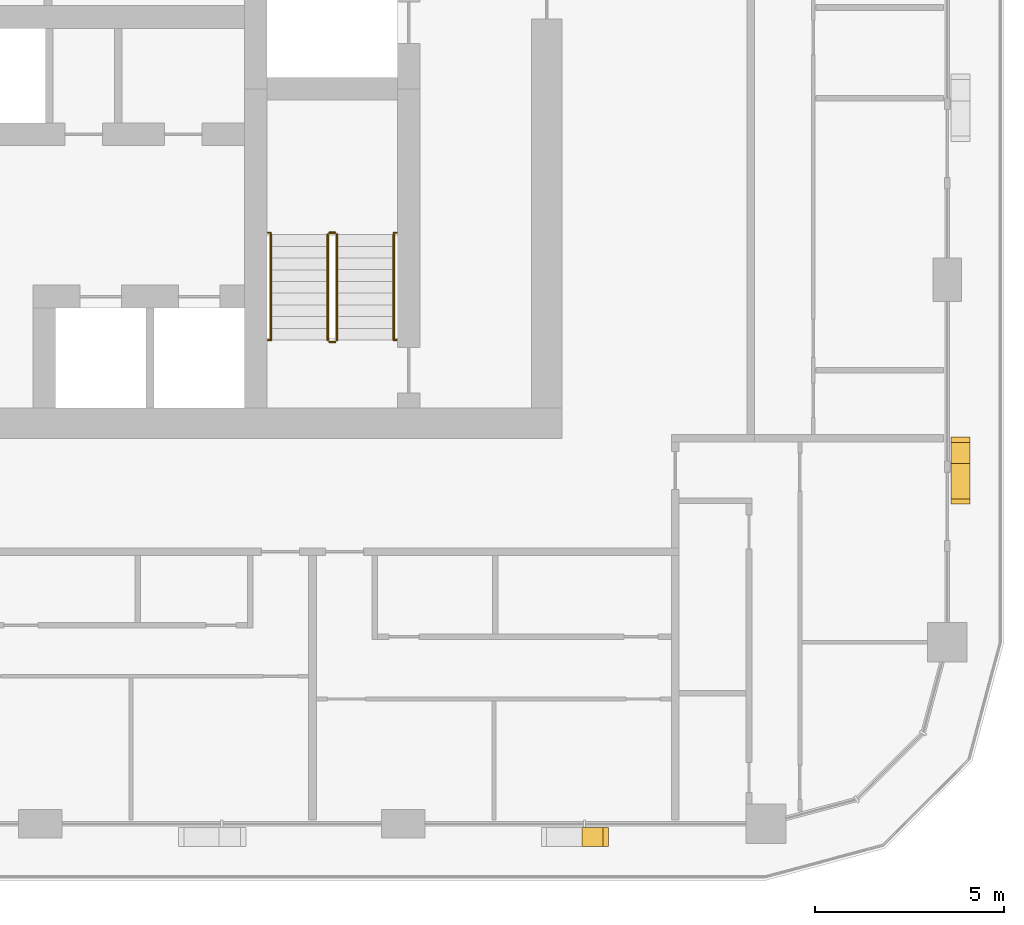
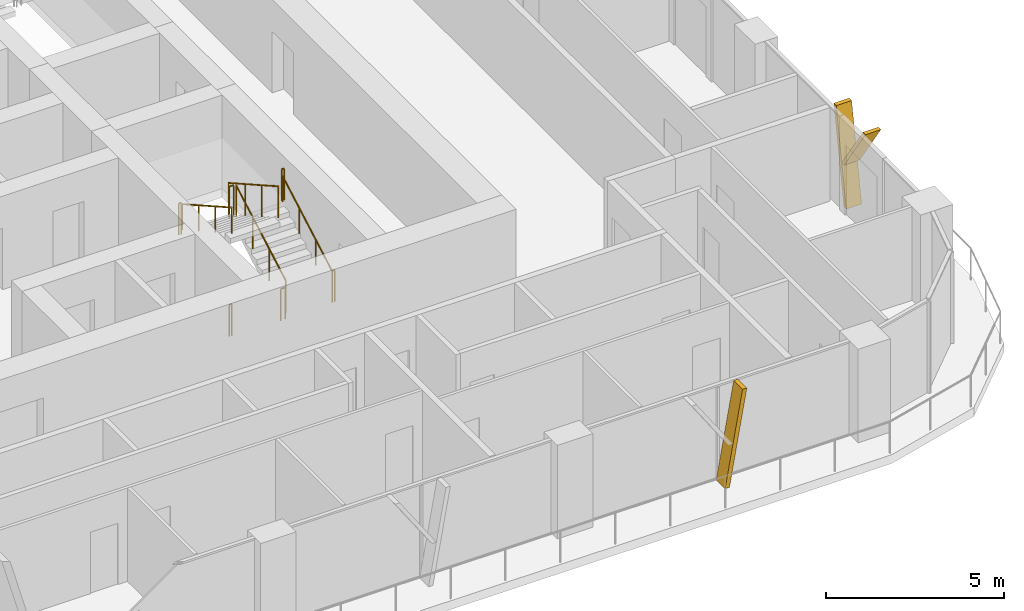
# One storey, part 20 of 23: 10 railings, 3 shading devices.
"""IFC4 building model written with IfcOpenShell, lengths in metres."""

import ifcopenshell
import ifcopenshell.guid

model = None  # the IFC model being written
_history = None  # IfcOwnerHistory: only IFC2X3 demands one
_inside = {}  # id of a spatial element -> (the spatial element, [elements in it])
_under = {}  # id of a project, library or spatial element -> (it, [spatial elements below it])
_declared = {}  # id of a project -> (the project, [libraries it declares])
_typed = {}  # id of a type object -> (the type object, [elements of that type])
_made_of = {}  # id of a material, layer set ... -> (it, [elements and type objects made of it])


def new_model(schema):
    """Start an empty IFC model of exactly this schema.

    Asked for "IFC4X3", IfcOpenShell would pick the latest addendum, in which some entities
    have other attributes; the version numbers below select the first issue.
    IFC2X3 requires an IfcOwnerHistory on every rooted entity: one is made here for all.
    """
    global model, _history
    if schema == "IFC4X3":
        model = ifcopenshell.file(schema_version=(4, 3, 0, 0))
    else:
        model = ifcopenshell.file(schema=schema)
    _inside.clear()
    _under.clear()
    _declared.clear()
    _typed.clear()
    _made_of.clear()
    _history = None
    if model.schema == "IFC2X3":
        org = make("IfcOrganization", Name="unknown")
        user = make(
            "IfcPersonAndOrganization",
            ThePerson=make("IfcPerson", FamilyName="unknown"),
            TheOrganization=org,
        )
        app = make(
            "IfcApplication",
            ApplicationDeveloper=org,
            Version="unknown",
            ApplicationFullName="unknown",
            ApplicationIdentifier="unknown",
        )
        _history = make(
            "IfcOwnerHistory",
            OwningUser=user,
            OwningApplication=app,
            ChangeAction="ADDED",
            CreationDate=0,
        )
    return model


def make(cls, **values):
    """One entity of the class cls with the attributes given. An attribute that is None is left unset."""
    return model.create_entity(
        cls, **{name: value for name, value in values.items() if value is not None}
    )


def rooted(cls, **values):
    """An entity with a GlobalId (a new one), such as an element, a storey or a relation."""
    return make(cls, GlobalId=ifcopenshell.guid.new(), OwnerHistory=_history, **values)


def si_unit(unit_type, name, prefix=None):
    """IfcSIUnit, for example si_unit("LENGTHUNIT", "METRE", prefix="MILLI")."""
    return make("IfcSIUnit", UnitType=unit_type, Prefix=prefix, Name=name)


def assignment(units):
    """IfcUnitAssignment: the units of a project."""
    return None if units is None else make("IfcUnitAssignment", Units=units)


def point(xyz):
    """IfcCartesianPoint."""
    return None if xyz is None else make("IfcCartesianPoint", Coordinates=xyz)


def direction(xyz):
    """IfcDirection."""
    return None if xyz is None else make("IfcDirection", DirectionRatios=xyz)


def frame(location, z_axis=None, x_axis=None):
    """IfcAxis2Placement3D, a coordinate frame: its origin and axes. An axis left out is left unset."""
    return make(
        "IfcAxis2Placement3D",
        Location=point(location),
        Axis=direction(z_axis),
        RefDirection=direction(x_axis),
    )


def frame_2d(location, x_axis=None):
    """IfcAxis2Placement2D, a coordinate frame in the plane: its origin and x axis."""
    return make(
        "IfcAxis2Placement2D", Location=point(location), RefDirection=direction(x_axis)
    )


def origin():
    """The frame at (0, 0, 0) with its axes left unset."""
    return frame((0.0, 0.0, 0.0))


def origin_2d():
    """The frame at (0, 0) in the plane with its x axis left unset."""
    return frame_2d((0.0, 0.0))


def place(relative_to, where):
    """IfcLocalPlacement: puts the frame where relative to a parent placement (None: the world)."""
    return make(
        "IfcLocalPlacement", PlacementRelTo=relative_to, RelativePlacement=where
    )


def context(
    kind, dimensions, precision=None, world=None, true_north=None, identifier=None
):
    """IfcGeometricRepresentationContext, for example the 3D "Model" context."""
    return make(
        "IfcGeometricRepresentationContext",
        ContextIdentifier=identifier,
        ContextType=kind,
        CoordinateSpaceDimension=dimensions,
        Precision=precision,
        WorldCoordinateSystem=world,
        TrueNorth=true_north,
    )


def subcontext(parent, identifier, kind, view, scale=None):
    """IfcGeometricRepresentationSubContext, for example "Body" below "Model"."""
    return make(
        "IfcGeometricRepresentationSubContext",
        ContextIdentifier=identifier,
        ContextType=kind,
        ParentContext=parent,
        TargetScale=scale,
        TargetView=view,
    )


def project(units=None, contexts=None):
    """IfcProject with its units and contexts."""
    return rooted(
        "IfcProject",
        Name="project",
        RepresentationContexts=contexts,
        UnitsInContext=assignment(units),
    )


def spatial(cls, under=None, at=None, **own):
    """A site, building, storey or space (cls), placed at a placement, below another one or the project."""
    s = rooted(cls, ObjectPlacement=at, **own)
    if under is not None:
        _under.setdefault(under.id(), (under, []))[1].append(s)
    return s


def polyline(points):
    """IfcPolyline through the points."""
    return make("IfcPolyline", Points=[point(p) for p in points])


def profile(cls, at=None, kind="AREA", **sizes):
    """A parametric profile (cls). Its sizes go by their IFC names, for example OverallWidth=200.0."""
    return make(cls, ProfileType=kind, Position=at, **sizes)


def circle(**sizes):
    """IfcCircleProfileDef."""
    return profile("IfcCircleProfileDef", **sizes)


def outline(outer, holes=None, kind="AREA"):
    """IfcArbitraryClosedProfileDef: a profile drawn as a closed curve; with holes, ...WithVoids."""
    if holes is None:
        return make("IfcArbitraryClosedProfileDef", ProfileType=kind, OuterCurve=outer)
    return make(
        "IfcArbitraryProfileDefWithVoids",
        ProfileType=kind,
        OuterCurve=outer,
        InnerCurves=holes,
    )


def extrude(swept, where, along, depth):
    """IfcExtrudedAreaSolid: the profile swept, set in the frame where, extruded along a direction by depth."""
    return make(
        "IfcExtrudedAreaSolid",
        SweptArea=swept,
        Position=where,
        ExtrudedDirection=direction(along),
        Depth=depth,
    )


def shape(context_of_items, identifier, shape_type, items):
    """IfcShapeRepresentation: the items that make up one representation, for example the "Body"."""
    return make(
        "IfcShapeRepresentation",
        ContextOfItems=context_of_items,
        RepresentationIdentifier=identifier,
        RepresentationType=shape_type,
        Items=items,
    )


def material(Name=None, Category=None):
    """IfcMaterial."""
    return make("IfcMaterial", Name=Name, Category=Category)


def made_of(thing, what):
    """Note that an element or type object is made of a material, layer set ...; save() writes the relation."""
    if what is not None:
        _made_of.setdefault(what.id(), (what, []))[1].append(thing)
    return thing


def type_object(cls, material=None, **own):
    """A type object (cls), such as IfcWallType, which elements share."""
    return made_of(rooted(cls, **own), material)


def element(
    cls,
    number,
    at=None,
    inside=None,
    cuts=None,
    type_object=None,
    material=None,
    context=None,
    identifier="Body",
    shape_type=None,
    held_by="IfcProductDefinitionShape",
    body=None,
    shapes=None,
    **own,
):
    """One element of the class cls, such as IfcWall. Its Tag is "e" and its number.

    at: its placement. inside: the storey or other place that contains it. cuts: it is an
    opening in that element (IfcRelVoidsElement). A single representation is given by context,
    identifier, shape_type and body (its items); several are given by shapes. held_by: the class
    of the entity that holds the representations. save() writes the other relations.
    """
    e = rooted(cls, Tag="e%d" % number, ObjectPlacement=at, **own)
    if body is not None:
        shapes = [shape(context, identifier, shape_type, body)]
    if shapes is not None:
        e.Representation = make(held_by, Representations=shapes)
    if inside is not None:
        _inside.setdefault(inside.id(), (inside, []))[1].append(e)
    if cuts is not None:
        rooted(
            "IfcRelVoidsElement", RelatingBuildingElement=cuts, RelatedOpeningElement=e
        )
    if type_object is not None:
        _typed.setdefault(type_object.id(), (type_object, []))[1].append(e)
    return made_of(e, material)


def aggregate(whole, parts):
    """IfcRelAggregates: a whole, such as a stair, and the parts it consists of."""
    return rooted("IfcRelAggregates", RelatingObject=whole, RelatedObjects=parts)


def save(model, path):
    """Write the relations noted so far, then the file.

    IfcRelAggregates (storeys below a building ...), IfcRelContainedInSpatialStructure (elements
    in a storey), IfcRelDefinesByType, IfcRelAssociatesMaterial and IfcRelDeclares: one each for
    every whole, place, type object, material and project.
    """
    for whole, parts in _under.values():
        aggregate(whole, parts)
    for where, things in _inside.values():
        rooted(
            "IfcRelContainedInSpatialStructure",
            RelatedElements=things,
            RelatingStructure=where,
        )
    for kind, things in _typed.values():
        rooted("IfcRelDefinesByType", RelatedObjects=things, RelatingType=kind)
    for what, things in _made_of.values():
        rooted("IfcRelAssociatesMaterial", RelatedObjects=things, RelatingMaterial=what)
    for by, libraries in _declared.values():
        rooted("IfcRelDeclares", RelatingContext=by, RelatedDefinitions=libraries)
    model.write(path)


model = new_model("IFC4")

# Units and contexts
model_context = context("Model", 3, precision=1e-05, world=origin(), true_north=direction((0.0, 1.0)))
body_context = subcontext(model_context, "Body", "Model", "MODEL_VIEW")
ifc_project = project(units=[si_unit("LENGTHUNIT", "METRE"), si_unit("AREAUNIT", "SQUARE_METRE"), si_unit("VOLUMEUNIT", "CUBIC_METRE"), si_unit("PLANEANGLEUNIT", "RADIAN"), si_unit("MASSUNIT", "GRAM", prefix="KILO")], contexts=[model_context])

# Site, building, storey
site_placement = place(None, origin())
site = spatial("IfcSite", under=ifc_project, at=site_placement, CompositionType="ELEMENT")
building_placement = place(site_placement, origin())
building = spatial("IfcBuilding", under=site, at=building_placement, Name="Madar Terraces", CompositionType="ELEMENT")
storey_placement = place(building_placement, frame((0.0, 0.0, 133.10009765625)))
storey = spatial("IfcBuildingStorey", under=building, at=storey_placement, Name="L34", CompositionType="ELEMENT", Elevation=133.10009765625)

# Shading devices
ifc_material_1 = material(Name="Aluminium, black anodised", Category="aluminium")
shading_device_type = type_object("IfcShadingDeviceType", Name="Facade fin blade 140 x 500", PredefinedType="USERDEFINED", material=ifc_material_1)
shading_device_1_placement = place(storey_placement, frame((47.929931640625, 4.449951171875, 0.0), z_axis=(0.0, 0.0, 1.0), x_axis=(1.0, 0.0, 0.0)))
element("IfcShadingDevice", 1, at=shading_device_1_placement, inside=storey, type_object=shading_device_type, Name="FIN L34 S5", ObjectType="FIN", PredefinedType="USERDEFINED", context=body_context, shape_type="SweptSolid", body=[
    extrude(outline(polyline([(0.0, 0.0), (0.14013671875, 0.0), (0.704345703125, 3.199951171875), (0.564208984375, 3.199951171875), (0.0, 0.0)])), frame((0.0, 0.25, 0.0), z_axis=(0.0, -1.0, 0.0), x_axis=(1.0, 0.0, 0.0)), (0.0, 0.0, 1.0), 0.5),
])
shading_device_2_placement = place(storey_placement, frame((57.949951171875, 14.330078125, 0.0), z_axis=(0.0, 0.0, 1.0), x_axis=(0.0, 1.0, 0.0)))
element("IfcShadingDevice", 2, at=shading_device_2_placement, inside=storey, type_object=shading_device_type, Name="FIN L34 E1", ObjectType="FIN", PredefinedType="USERDEFINED", context=body_context, shape_type="SweptSolid", body=[
    extrude(outline(polyline([(0.0, 0.0), (0.139892578125, 0.0), (0.704345703125, 3.199951171875), (0.564208984375, 3.199951171875), (0.0, 0.0)])), frame((0.0, 0.25, 0.0), z_axis=(0.0, -1.0, 0.0), x_axis=(1.0, 0.0, 0.0)), (0.0, 0.0, 1.0), 0.5),
])
shading_device_3_placement = place(storey_placement, frame((57.949951171875, 14.44384765625, 1.43994140625), z_axis=(0.0, 0.0, 1.0), x_axis=(0.0, 1.0, 0.0)))
element("IfcShadingDevice", 3, at=shading_device_3_placement, inside=storey, type_object=shading_device_type, Name="FIN L34 E1 branch", ObjectType="FIN", PredefinedType="USERDEFINED", context=body_context, shape_type="SweptSolid", body=[
    extrude(outline(polyline([(0.0, 0.0), (0.14013671875, 0.0), (-1.049560546875, 1.760009765625), (-1.189697265625, 1.760009765625), (0.0, 0.0)])), frame((0.0, 0.25, 0.0), z_axis=(0.0, -1.0, 0.0), x_axis=(1.0, 0.0, 0.0)), (0.0, 0.0, 1.0), 0.5),
])

# Railings
ifc_material_2 = material(Name="Stainless steel railing", Category="steel")
railing_type_1 = type_object("IfcRailingType", Name="Stair guard 1100", PredefinedType="GUARDRAIL", material=ifc_material_2)
railing_1_placement = place(storey_placement, frame((41.449951171875, 17.60009765625, 0.1748046875)))
element("IfcRailing", 4, at=railing_1_placement, inside=storey, type_object=railing_type_1, Name="L34 ST3 stair guard 1", PredefinedType="GUARDRAIL", context=body_context, shape_type="SweptSolid", body=[
    extrude(circle(Radius=0.02392578125, at=origin_2d()), frame((0.0, 0.0, 1.076171875), z_axis=(0.0, 0.870782738816, 0.491667999549), x_axis=(-1.0, 0.0, 0.0)), (0.0, 0.0, 1.0), 3.203857421875),
    extrude(circle(Radius=0.02099609375, at=origin_2d()), origin(), (0.0, 0.0, 1.0), 1.052001953125),
    extrude(circle(Radius=0.02099609375, at=origin_2d()), frame((0.0, 0.929931640625, 0.525146484375)), (0.0, 0.0, 1.0), 1.052001953125),
    extrude(circle(Radius=0.02099609375, at=origin_2d()), frame((0.0, 1.85986328125, 1.050048828125)), (0.0, 0.0, 1.0), 1.052001953125),
    extrude(circle(Radius=0.02099609375, at=origin_2d()), frame((0.0, 2.789794921875, 1.5751953125)), (0.0, 0.0, 1.0), 1.052001953125),
])
railing_2_placement = place(storey_placement, frame((41.39990234375, 20.43994140625, 1.75)))
element("IfcRailing", 5, at=railing_2_placement, inside=storey, type_object=railing_type_1, Name="L34 ST3 stair guard 2", PredefinedType="GUARDRAIL", context=body_context, shape_type="SweptSolid", body=[
    extrude(circle(Radius=0.02392578125, at=origin_2d()), frame((0.0, 0.0, 1.076171875), z_axis=(-1.0, 0.0, 0.0), x_axis=(0.0, -1.0, 0.0)), (0.0, 0.0, 1.0), 0.14990234375),
    extrude(circle(Radius=0.02099609375, at=origin_2d()), origin(), (0.0, 0.0, 1.0), 1.052001953125),
    extrude(circle(Radius=0.02099609375, at=origin_2d()), frame((-0.14990234375, 0.0, 0.0)), (0.0, 0.0, 1.0), 1.052001953125),
])
railing_3_placement = place(storey_placement, frame((41.199951171875, 20.389892578125, 1.9248046875)))
element("IfcRailing", 6, at=railing_3_placement, inside=storey, type_object=railing_type_1, Name="L34 ST3 stair guard 3", PredefinedType="GUARDRAIL", context=body_context, shape_type="SweptSolid", body=[
    extrude(circle(Radius=0.02392578125, at=origin_2d()), frame((0.0, 0.0, 1.076171875), z_axis=(0.0, -0.870782738816, 0.491667999549), x_axis=(1.0, 0.0, 0.0)), (0.0, 0.0, 1.0), 3.203857421875),
    extrude(circle(Radius=0.02099609375, at=origin_2d()), origin(), (0.0, 0.0, 1.0), 1.052001953125),
    extrude(circle(Radius=0.02099609375, at=origin_2d()), frame((0.0, -0.929931640625, 0.525146484375)), (0.0, 0.0, 1.0), 1.052001953125),
    extrude(circle(Radius=0.02099609375, at=origin_2d()), frame((0.0, -1.85986328125, 1.050048828125)), (0.0, 0.0, 1.0), 1.052001953125),
    extrude(circle(Radius=0.02099609375, at=origin_2d()), frame((0.0, -2.789794921875, 1.5751953125)), (0.0, 0.0, 1.0), 1.052001953125),
])
railing_4_placement = place(storey_placement, frame((41.39990234375, 17.550048828125, 0.0)))
element("IfcRailing", 7, at=railing_4_placement, inside=storey, type_object=railing_type_1, Name="L34 ST3 stair guard 4", PredefinedType="GUARDRAIL", context=body_context, shape_type="SweptSolid", body=[
    extrude(circle(Radius=0.02392578125, at=origin_2d()), frame((0.0, 0.0, 1.076171875), z_axis=(-1.0, 0.0, 0.0), x_axis=(0.0, -1.0, 0.0)), (0.0, 0.0, 1.0), 0.14990234375),
    extrude(circle(Radius=0.02099609375, at=origin_2d()), origin(), (0.0, 0.0, 1.0), 1.052001953125),
    extrude(circle(Radius=0.02099609375, at=origin_2d()), frame((-0.14990234375, 0.0, 0.0)), (0.0, 0.0, 1.0), 1.052001953125),
])
railing_5_placement = place(storey_placement, frame((39.6201171875, 20.43994140625, 1.75)))
element("IfcRailing", 8, at=railing_5_placement, inside=storey, type_object=railing_type_1, Name="L34 stair guard seat 1", PredefinedType="GUARDRAIL", context=body_context, shape_type="SweptSolid", body=[
    extrude(circle(Radius=0.02392578125, at=origin_2d()), frame((0.0, 0.0, 1.076171875), z_axis=(1.0, 0.0, 0.0), x_axis=(0.0, 1.0, 0.0)), (0.0, 0.0, 1.0), 0.079833984375),
    extrude(circle(Radius=0.02099609375, at=origin_2d()), origin(), (0.0, 0.0, 1.0), 1.052001953125),
    extrude(circle(Radius=0.02099609375, at=origin_2d()), frame((0.079833984375, 0.0, 0.0)), (0.0, 0.0, 1.0), 1.052001953125),
])
railing_6_placement = place(storey_placement, frame((42.949951171875, 20.43994140625, 1.75)))
element("IfcRailing", 9, at=railing_6_placement, inside=storey, type_object=railing_type_1, Name="L34 stair guard seat 2", PredefinedType="GUARDRAIL", context=body_context, shape_type="SweptSolid", body=[
    extrude(circle(Radius=0.02392578125, at=origin_2d()), frame((0.0, 0.0, 1.076171875), z_axis=(1.0, 0.0, 0.0), x_axis=(0.0, 1.0, 0.0)), (0.0, 0.0, 1.0), 0.080078125),
    extrude(circle(Radius=0.02099609375, at=origin_2d()), origin(), (0.0, 0.0, 1.0), 1.052001953125),
    extrude(circle(Radius=0.02099609375, at=origin_2d()), frame((0.080078125, 0.0, 0.0)), (0.0, 0.0, 1.0), 1.052001953125),
])
railing_7_placement = place(storey_placement, frame((39.6201171875, 17.60009765625, 0.0)))
element("IfcRailing", 10, at=railing_7_placement, inside=storey, type_object=railing_type_1, Name="L34 stair guard floor 1", PredefinedType="GUARDRAIL", context=body_context, shape_type="SweptSolid", body=[
    extrude(circle(Radius=0.02392578125, at=origin_2d()), frame((0.0, 0.0, 1.076171875), z_axis=(1.0, 0.0, 0.0), x_axis=(0.0, 1.0, 0.0)), (0.0, 0.0, 1.0), 0.079833984375),
    extrude(circle(Radius=0.02099609375, at=origin_2d()), origin(), (0.0, 0.0, 1.0), 1.052001953125),
    extrude(circle(Radius=0.02099609375, at=origin_2d()), frame((0.079833984375, 0.0, 0.0)), (0.0, 0.0, 1.0), 1.052001953125),
])
railing_8_placement = place(storey_placement, frame((42.949951171875, 17.60009765625, 0.0)))
element("IfcRailing", 11, at=railing_8_placement, inside=storey, type_object=railing_type_1, Name="L34 stair guard floor 2", PredefinedType="GUARDRAIL", context=body_context, shape_type="SweptSolid", body=[
    extrude(circle(Radius=0.02392578125, at=origin_2d()), frame((0.0, 0.0, 1.076171875), z_axis=(1.0, 0.0, 0.0), x_axis=(0.0, 1.0, 0.0)), (0.0, 0.0, 1.0), 0.080078125),
    extrude(circle(Radius=0.02099609375, at=origin_2d()), origin(), (0.0, 0.0, 1.0), 1.052001953125),
    extrude(circle(Radius=0.02099609375, at=origin_2d()), frame((0.080078125, 0.0, 0.0)), (0.0, 0.0, 1.0), 1.052001953125),
])
ifc_material_3 = material(Name="Stainless steel railing", Category="steel")
railing_type_2 = type_object("IfcRailingType", Name="Stair handrail 900", PredefinedType="HANDRAIL", material=ifc_material_3)
railing_9_placement = place(storey_placement, frame((42.949951171875, 17.60009765625, 0.1748046875)))
element("IfcRailing", 12, at=railing_9_placement, inside=storey, type_object=railing_type_2, Name="L34 ST3 stair handrail 1", PredefinedType="HANDRAIL", context=body_context, shape_type="SweptSolid", body=[
    extrude(circle(Radius=0.02392578125, at=origin_2d()), frame((0.0, 0.0, 0.8759765625), z_axis=(0.0, 0.870782738816, 0.491667999549), x_axis=(-1.0, 0.0, 0.0)), (0.0, 0.0, 1.0), 3.203857421875),
    extrude(circle(Radius=0.02099609375, at=origin_2d()), origin(), (0.0, 0.0, 1.0), 0.851806640625),
    extrude(circle(Radius=0.02099609375, at=origin_2d()), frame((0.0, 0.929931640625, 0.525146484375)), (0.0, 0.0, 1.0), 0.851806640625),
    extrude(circle(Radius=0.02099609375, at=origin_2d()), frame((0.0, 1.85986328125, 1.050048828125)), (0.0, 0.0, 1.0), 0.851806640625),
    extrude(circle(Radius=0.02099609375, at=origin_2d()), frame((0.0, 2.789794921875, 1.5751953125)), (0.0, 0.0, 1.0), 0.851806640625),
])
railing_10_placement = place(storey_placement, frame((39.699951171875, 20.389892578125, 1.9248046875)))
element("IfcRailing", 13, at=railing_10_placement, inside=storey, type_object=railing_type_2, Name="L34 ST3 stair handrail 2", PredefinedType="HANDRAIL", context=body_context, shape_type="SweptSolid", body=[
    extrude(circle(Radius=0.02392578125, at=origin_2d()), frame((0.0, 0.0, 0.8759765625), z_axis=(0.0, -0.870782738816, 0.491667999549), x_axis=(1.0, 0.0, 0.0)), (0.0, 0.0, 1.0), 3.203857421875),
    extrude(circle(Radius=0.02099609375, at=origin_2d()), origin(), (0.0, 0.0, 1.0), 0.851806640625),
    extrude(circle(Radius=0.02099609375, at=origin_2d()), frame((0.0, -0.929931640625, 0.525146484375)), (0.0, 0.0, 1.0), 0.851806640625),
    extrude(circle(Radius=0.02099609375, at=origin_2d()), frame((0.0, -1.85986328125, 1.050048828125)), (0.0, 0.0, 1.0), 0.851806640625),
    extrude(circle(Radius=0.02099609375, at=origin_2d()), frame((0.0, -2.789794921875, 1.5751953125)), (0.0, 0.0, 1.0), 0.851806640625),
])

save(model, "model.ifc")
